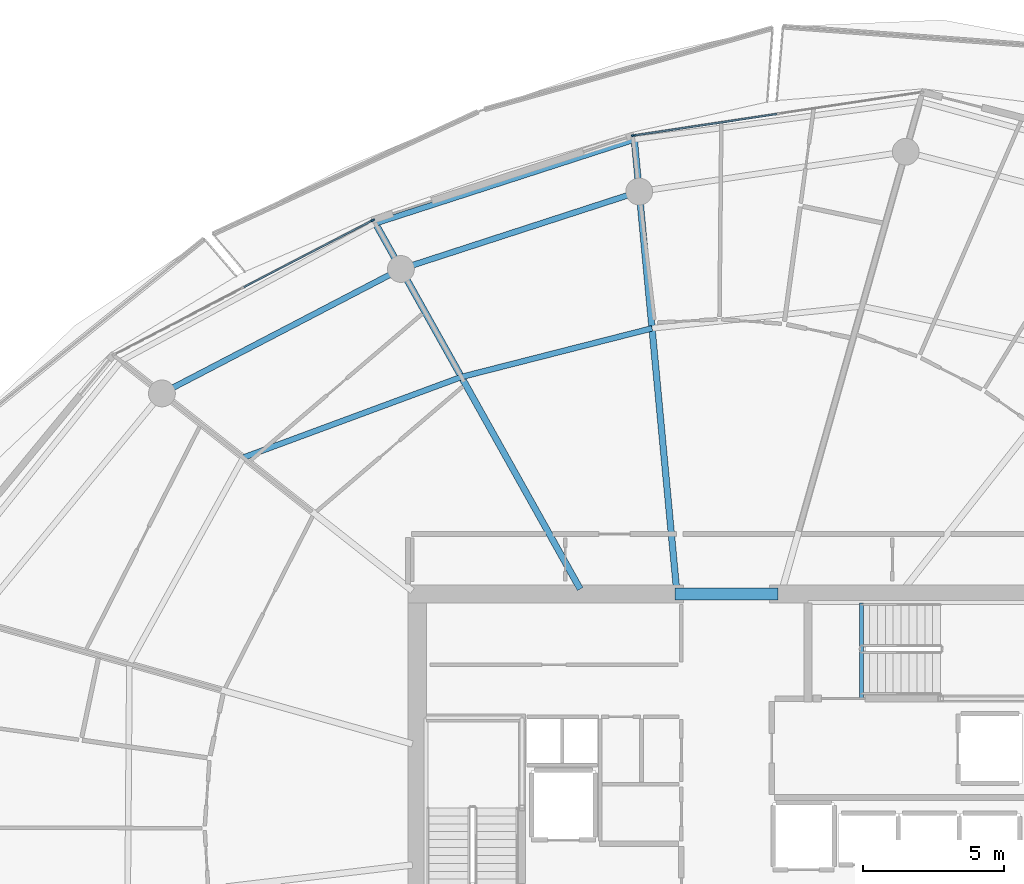
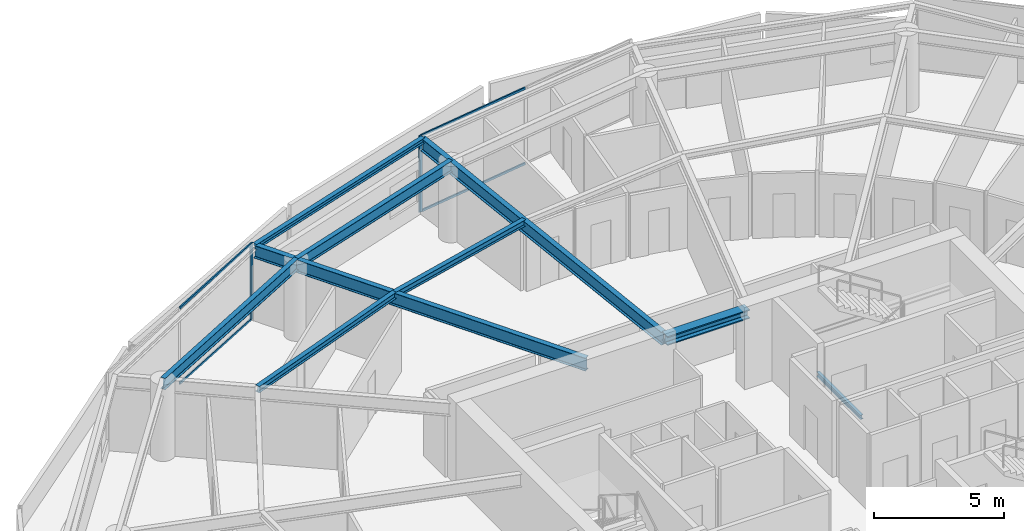
# One storey, part 12 of 29: 9 beams, 6 members, 2 elements without a shape of their own.
"""IFC4 building model written with IfcOpenShell, lengths in metres."""

from ifc_helpers import new_model, si_unit, direction, frame, origin, origin_2d, place, context, subcontext, project, spatial, rectangle, i_section, extrude, material, layer, layer_set, material_profile, profile_set, type_object, element, aggregate, save


model = new_model("IFC4")

# Units and contexts
model_context = context("Model", 3, precision=1e-05, world=origin(), true_north=direction((0.0, 1.0)))
body_context = subcontext(model_context, "Body", "Model", "MODEL_VIEW")
ifc_project = project(units=[si_unit("LENGTHUNIT", "METRE"), si_unit("AREAUNIT", "SQUARE_METRE"), si_unit("VOLUMEUNIT", "CUBIC_METRE"), si_unit("PLANEANGLEUNIT", "RADIAN"), si_unit("MASSUNIT", "GRAM", prefix="KILO")], contexts=[model_context])

# Site, building, storey
site_placement = place(None, origin())
site = spatial("IfcSite", under=ifc_project, at=site_placement, CompositionType="ELEMENT")
building_placement = place(site_placement, origin())
building = spatial("IfcBuilding", under=site, at=building_placement, Name="Kazma Halo Residences", CompositionType="ELEMENT")
storey_placement = place(building_placement, frame((0.0, 0.0, 252.10009765625)))
storey = spatial("IfcBuildingStorey", under=building, at=storey_placement, Name="L63", CompositionType="ELEMENT", Elevation=252.10009765625)

# Beams
ifc_material_1 = material(Name="Steel S355", Category="steel")
ifc_material_profile_1 = material_profile(ifc_material_1, i_section(OverallWidth=0.201904296875, OverallDepth=0.2470703125, WebThickness=0.00732421875, FlangeThickness=0.010986328125, FilletRadius=0.011962890625, at=origin_2d()), Name="W250x49.1")
ifc_profile_set_1 = profile_set([ifc_material_profile_1], Name="Steel S355")
beam_type_1 = type_object("IfcBeamType", Name="BM-BAL-CANT", PredefinedType="BEAM", material=ifc_profile_set_1)
beam_1_placement = place(storey_placement, frame((45.155517578125, 66.41259765625, 3.46630859375), z_axis=(-0.951357597741, -0.308088820344, 0.0), x_axis=(0.308088820344, -0.951357597741, 0.0)))
element("IfcBeam", 1, at=beam_1_placement, inside=storey, type_object=beam_type_1, Name="L63 wave-balcony tie beam 04", PredefinedType="BEAM", context=body_context, shape_type="SweptSolid", body=[
    extrude(i_section(OverallWidth=0.201904296875, OverallDepth=0.2470703125, WebThickness=0.00732421875, FlangeThickness=0.010986328125, FilletRadius=0.011962890625, at=origin_2d()), origin(), (0.0, 0.0, 1.0), 9.633544921875),
])
ifc_material_profile_2 = material_profile(ifc_material_1, i_section(OverallWidth=0.408935546875, OverallDepth=0.425048828125, WebThickness=0.03271484375, FlangeThickness=0.052490234375, FilletRadius=0.02001953125, at=origin_2d()), Name="W360x421")
ifc_profile_set_2 = profile_set([ifc_material_profile_2], Name="Steel S355")
beam_type_2 = type_object("IfcBeamType", Name="BM-CORE-W360H", PredefinedType="BEAM", material=ifc_profile_set_2)
beam_2_placement = place(storey_placement, frame((46.60009765625, 50.324951171875, 3.37744140625), z_axis=(1.0, 0.0, 0.0), x_axis=(0.0, 1.0, 0.0)))
element("IfcBeam", 2, at=beam_2_placement, inside=storey, type_object=beam_type_2, Name="L63 core coupling beam N", PredefinedType="BEAM", context=body_context, shape_type="SweptSolid", body=[
    extrude(i_section(OverallWidth=0.408935546875, OverallDepth=0.425048828125, WebThickness=0.03271484375, FlangeThickness=0.052490234375, FilletRadius=0.02001953125, at=origin_2d()), origin(), (0.0, 0.0, 1.0), 3.64990234375),
])
ifc_material_profile_3 = material_profile(ifc_material_1, i_section(OverallWidth=0.22802734375, OverallDepth=0.60791015625, WebThickness=0.01123046875, FlangeThickness=0.017333984375, FilletRadius=0.01806640625, at=origin_2d()), Name="W610x113")
ifc_profile_set_3 = profile_set([ifc_material_profile_3], Name="Steel S355")
beam_type_3 = type_object("IfcBeamType", Name="BM-RAD-W610", PredefinedType="BEAM", material=ifc_profile_set_3)
beam_3_placement = place(storey_placement, frame((46.64990234375, 50.5, 3.285888671875), z_axis=(-0.093500648044, 0.995619218786, 0.0), x_axis=(-0.995619218786, -0.093500648044, 0.0)))
element("IfcBeam", 3, at=beam_3_placement, inside=storey, type_object=beam_type_3, Name="L63 radial floor beam 04", PredefinedType="BEAM", context=body_context, shape_type="SweptSolid", body=[
    extrude(i_section(OverallWidth=0.22802734375, OverallDepth=0.60791015625, WebThickness=0.01123046875, FlangeThickness=0.017333984375, FilletRadius=0.01806640625, at=origin_2d()), origin(), (0.0, 0.0, 1.0), 15.982666015625),
])
beam_4_placement = place(storey_placement, frame((43.23974609375, 50.5, 3.285888671875), z_axis=(-0.488618902548, 0.872497316943, 0.0), x_axis=(-0.872497316943, -0.488618902548, 0.0)))
element("IfcBeam", 4, at=beam_4_placement, inside=storey, type_object=beam_type_3, Name="L63 radial floor beam 05", PredefinedType="BEAM", context=body_context, shape_type="SweptSolid", body=[
    extrude(i_section(OverallWidth=0.22802734375, OverallDepth=0.60791015625, WebThickness=0.01123046875, FlangeThickness=0.017333984375, FilletRadius=0.01806640625, at=origin_2d()), origin(), (0.0, 0.0, 1.0), 14.836181640625),
])
ifc_material_profile_4 = material_profile(ifc_material_1, i_section(OverallWidth=0.202880859375, OverallDepth=0.302978515625, WebThickness=0.007568359375, FlangeThickness=0.01318359375, FilletRadius=0.013916015625, at=origin_2d()), Name="W310x60")
ifc_profile_set_4 = profile_set([ifc_material_profile_4], Name="Steel S355")
beam_type_4 = type_object("IfcBeamType", Name="BM-SEC-W310A", PredefinedType="JOIST", material=ifc_profile_set_4)
beam_5_placement = place(storey_placement, frame((45.783203125, 59.7294921875, 3.4384765625), z_axis=(-0.968957746759, -0.2472263841, 0.0), x_axis=(0.2472263841, -0.968957746759, 0.0)))
element("IfcBeam", 5, at=beam_5_placement, inside=storey, type_object=beam_type_4, Name="L63 circumferential floor joist 04", PredefinedType="JOIST", context=body_context, shape_type="SweptSolid", body=[
    extrude(i_section(OverallWidth=0.202880859375, OverallDepth=0.302978515625, WebThickness=0.007568359375, FlangeThickness=0.01318359375, FilletRadius=0.013916015625, at=origin_2d()), origin(), (0.0, 0.0, 1.0), 6.9638671875),
])
beam_6_placement = place(storey_placement, frame((39.035400390625, 58.0078125, 3.4384765625), z_axis=(-0.937943961726, -0.346786857683, 0.0), x_axis=(0.346786857683, -0.937943961726, 0.0)))
element("IfcBeam", 6, at=beam_6_placement, inside=storey, type_object=beam_type_4, Name="L63 circumferential floor joist 05", PredefinedType="JOIST", context=body_context, shape_type="SweptSolid", body=[
    extrude(i_section(OverallWidth=0.202880859375, OverallDepth=0.302978515625, WebThickness=0.007568359375, FlangeThickness=0.01318359375, FilletRadius=0.013916015625, at=origin_2d()), origin(), (0.0, 0.0, 1.0), 8.231201171875),
])
ifc_material_profile_5 = material_profile(ifc_material_1, i_section(OverallWidth=0.208984375, OverallDepth=0.532958984375, WebThickness=0.01025390625, FlangeThickness=0.015625, FilletRadius=0.01611328125, at=origin_2d()), Name="W530x92")
ifc_profile_set_5 = profile_set([ifc_material_profile_5], Name="Steel S355")
beam_type_5 = type_object("IfcBeamType", Name="BM-SPN-W530", PredefinedType="BEAM", material=ifc_profile_set_5)
beam_7_placement = place(storey_placement, frame((45.32861328125, 64.57080078125, 3.323486328125), z_axis=(-0.951053893407, -0.309025066679, 0.0), x_axis=(0.309025066679, -0.951053893407, 0.0)))
element("IfcBeam", 7, at=beam_7_placement, inside=storey, type_object=beam_type_5, Name="L63 perimeter ring beam 04", PredefinedType="BEAM", context=body_context, shape_type="SweptSolid", body=[
    extrude(i_section(OverallWidth=0.208984375, OverallDepth=0.532958984375, WebThickness=0.01025390625, FlangeThickness=0.015625, FilletRadius=0.01611328125, at=origin_2d()), origin(), (0.0, 0.0, 1.0), 8.8681640625),
])
beam_8_placement = place(storey_placement, frame((36.89453125, 61.830322265625, 3.323486328125), z_axis=(-0.886961047115, -0.461844238788, 0.0), x_axis=(0.461844238788, -0.886961047115, 0.0)))
element("IfcBeam", 8, at=beam_8_placement, inside=storey, type_object=beam_type_5, Name="L63 perimeter ring beam 05", PredefinedType="BEAM", context=body_context, shape_type="SweptSolid", body=[
    extrude(i_section(OverallWidth=0.208984375, OverallDepth=0.532958984375, WebThickness=0.01025390625, FlangeThickness=0.015625, FilletRadius=0.01611328125, at=origin_2d()), origin(), (0.0, 0.0, 1.0), 9.5390625),
])
ifc_material_profile_6 = material_profile(ifc_material_1, i_section(OverallWidth=0.133056640625, OverallDepth=0.20703125, WebThickness=0.005859375, FlangeThickness=0.00830078125, FilletRadius=0.010009765625, at=origin_2d()), Name="W200x26.6")
ifc_profile_set_6 = profile_set([ifc_material_profile_6], Name="Steel S355")
beam_type_6 = type_object("IfcBeamType", Name="BM-TRIM-W200", PredefinedType="BEAM", material=ifc_profile_set_6)
beam_9_placement = place(storey_placement, frame((53.199951171875, 46.6201171875, -0.3701171875), z_axis=(0.0, 1.0, 0.0), x_axis=(-1.0, 0.0, 0.0)))
element("IfcBeam", 9, at=beam_9_placement, inside=storey, type_object=beam_type_6, Name="L63 ST-02 floor landing support beam", PredefinedType="BEAM", context=body_context, shape_type="SweptSolid", body=[
    extrude(i_section(OverallWidth=0.133056640625, OverallDepth=0.20703125, WebThickness=0.005859375, FlangeThickness=0.00830078125, FilletRadius=0.010009765625, at=origin_2d()), origin(), (0.0, 0.0, 1.0), 3.3798828125),
])

# Curtain wall, member
ifc_material_2 = material(Name="Aluminium AW-6063 T6 and Triple-Silver Low-E Glass", Category="aluminium")
ifc_layer = layer(ifc_material_2, 0.139892578125)
ifc_layer_set = layer_set([ifc_layer], Name="Aluminium AW-6063 T6 and Triple-Silver Low-E Glass")
curtain_wall_type = type_object("IfcCurtainWallType", Name="CW-SYS-5", PredefinedType="NOTDEFINED", material=ifc_layer_set)
curtain_wall_1_placement = place(storey_placement, origin())
curtain_wall_1 = element("IfcCurtainWall", 10, at=curtain_wall_1_placement, inside=storey, type_object=curtain_wall_type, Name="L63 unitised curtain wall B03", PredefinedType="NOTDEFINED")
ifc_material_3 = material(Name="Aluminium AW-6063 T6", Category="aluminium")
ifc_material_profile_7 = material_profile(ifc_material_3, rectangle(XDim=0.06005859375, YDim=0.139892578125, at=origin_2d()), Name="CWM-60x140")
ifc_profile_set_7 = profile_set([ifc_material_profile_7], Name="Aluminium AW-6063 T6")
member_type_1 = type_object("IfcMemberType", Name="CW-SYS-5-MUL", PredefinedType="MULLION", material=ifc_profile_set_7)
member_1_placement = place(storey_placement, frame((45.124267578125, 66.552734375, 0.0), z_axis=(0.0, 0.0, 1.0), x_axis=(0.148697080374, -0.988882792998, 0.0)))
member_1 = element("IfcMember", 11, at=member_1_placement, type_object=member_type_1, Name="CWS-5 mullion 3", PredefinedType="MULLION", context=body_context, shape_type="SweptSolid", body=[
    extrude(rectangle(XDim=0.06005859375, YDim=0.139892578125, at=origin_2d()), origin(), (0.0, 0.0, 1.0), 3.58984375),
])

curtain_wall_2_placement = place(storey_placement, origin())
curtain_wall_2 = element("IfcCurtainWall", 12, at=curtain_wall_2_placement, inside=storey, type_object=curtain_wall_type, Name="L63 unitised curtain wall B05", PredefinedType="NOTDEFINED")
member_2_placement = place(storey_placement, frame((35.894775390625, 63.553955078125, 0.0), z_axis=(0.0, 0.0, 1.0), x_axis=(0.460960760804, -0.887420518694, 0.0)))
member_2 = element("IfcMember", 13, at=member_2_placement, type_object=member_type_1, Name="CWS-5 mullion 1", PredefinedType="MULLION", context=body_context, shape_type="SweptSolid", body=[
    extrude(rectangle(XDim=0.06005859375, YDim=0.139892578125, at=origin_2d()), origin(), (0.0, 0.0, 1.0), 3.58984375),
])

# Member
ifc_material_profile_8 = material_profile(ifc_material_3, rectangle(XDim=0.06005859375, YDim=0.10498046875, at=origin_2d()), Name="CWT-60x105")
ifc_profile_set_8 = profile_set([ifc_material_profile_8], Name="Aluminium AW-6063 T6")
member_type_2 = type_object("IfcMemberType", Name="CW-SYS-5-TRN", PredefinedType="USERDEFINED", material=ifc_profile_set_8)
member_3_placement = place(storey_placement, frame((50.19677734375, 67.3154296875, 0.02978515625), z_axis=(-0.988882913569, -0.148696278541, 0.0), x_axis=(0.148696278541, -0.988882913569, 0.0)))
member_3 = element("IfcMember", 14, at=member_3_placement, type_object=member_type_2, Name="CWS-5 transom 2.1", ObjectType="TRANSOM", PredefinedType="USERDEFINED", context=body_context, shape_type="SweptSolid", body=[
    extrude(rectangle(XDim=0.06005859375, YDim=0.10498046875, at=origin_2d()), origin(), (0.0, 0.0, 1.0), 5.099609375),
])

member_4_placement = place(storey_placement, frame((50.19677734375, 67.3154296875, 3.559814453125), z_axis=(-0.988882913569, -0.148696278541, 0.0), x_axis=(0.148696278541, -0.988882913569, 0.0)))
member_4 = element("IfcMember", 15, at=member_4_placement, type_object=member_type_2, Name="CWS-5 transom 2.2", ObjectType="TRANSOM", PredefinedType="USERDEFINED", context=body_context, shape_type="SweptSolid", body=[
    extrude(rectangle(XDim=0.06005859375, YDim=0.10498046875, at=origin_2d()), origin(), (0.0, 0.0, 1.0), 5.099609375),
])

aggregate(curtain_wall_1, [member_1, member_3, member_4])

member_5_placement = place(storey_placement, frame((35.8681640625, 63.5400390625, 0.02978515625), z_axis=(-0.887436955863, -0.46092911534, 0.0), x_axis=(0.46092911534, -0.887436955863, 0.0)))
member_5 = element("IfcMember", 16, at=member_5_placement, type_object=member_type_2, Name="CWS-5 transom 1.1", ObjectType="TRANSOM", PredefinedType="USERDEFINED", context=body_context, shape_type="SweptSolid", body=[
    extrude(rectangle(XDim=0.06005859375, YDim=0.10498046875, at=origin_2d()), origin(), (0.0, 0.0, 1.0), 5.099609375),
])

member_6_placement = place(storey_placement, frame((35.8681640625, 63.5400390625, 3.559814453125), z_axis=(-0.887436955863, -0.46092911534, 0.0), x_axis=(0.46092911534, -0.887436955863, 0.0)))
member_6 = element("IfcMember", 17, at=member_6_placement, type_object=member_type_2, Name="CWS-5 transom 1.2", ObjectType="TRANSOM", PredefinedType="USERDEFINED", context=body_context, shape_type="SweptSolid", body=[
    extrude(rectangle(XDim=0.06005859375, YDim=0.10498046875, at=origin_2d()), origin(), (0.0, 0.0, 1.0), 5.099609375),
])

aggregate(curtain_wall_2, [member_2, member_5, member_6])

save(model, "model.ifc")
